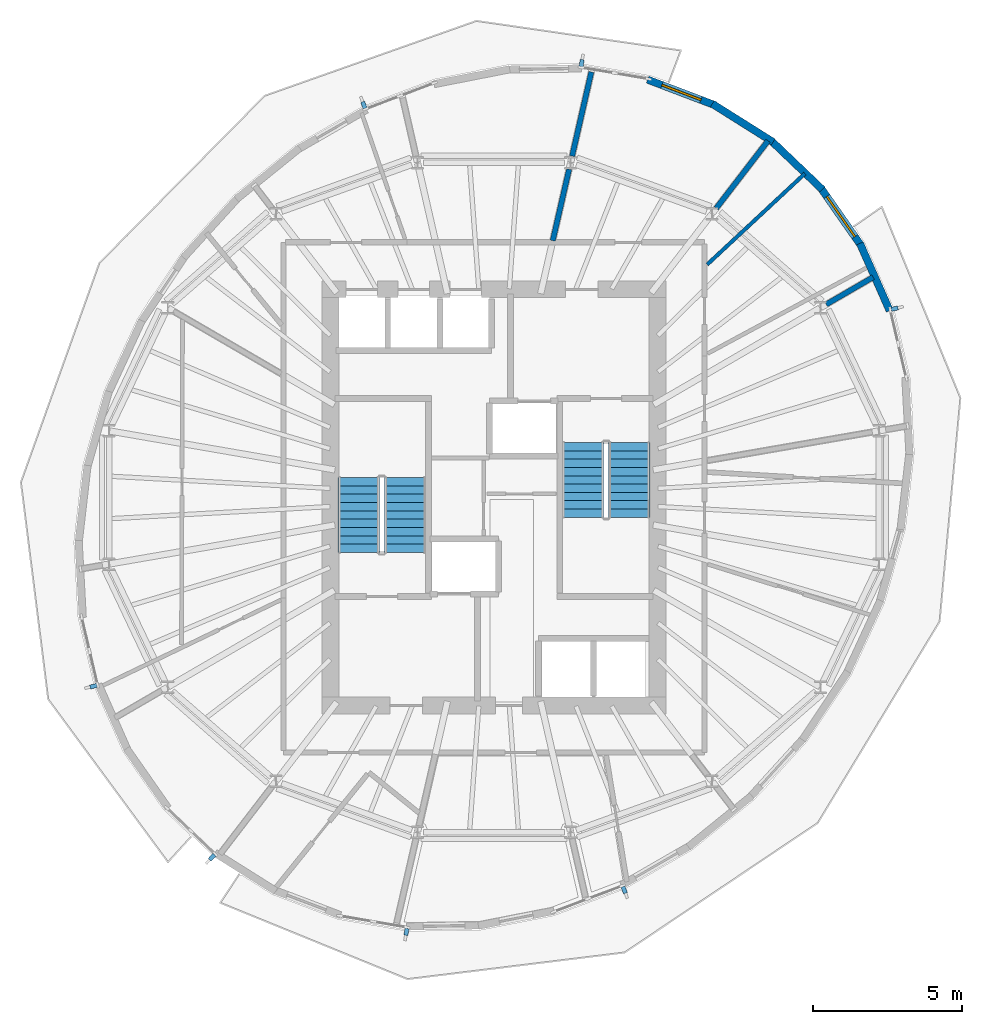
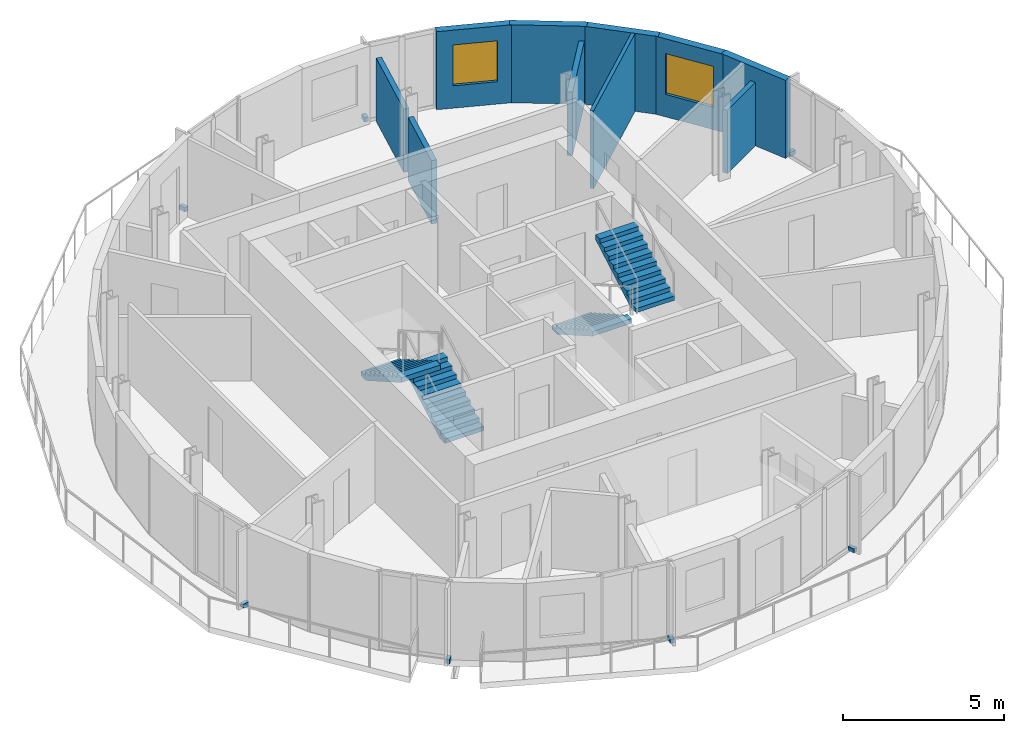
# One storey, part 7 of 11: 10 walls, 7 discrete accessories, 4 stair flights, 2 windows, 2 openings, 2 elements without a shape of their own.
"""IFC4 building model written with IfcOpenShell, lengths in metres."""

from ifc_helpers import new_model, si_unit, direction, frame, frame_2d, origin, origin_2d, place, context, subcontext, project, spatial, polyline, rectangle, outline, extrude, material, layer, layer_set, type_object, element, fill, aggregate, save


model = new_model("IFC4")

# Units and contexts
model_context = context("Model", 3, precision=1e-05, world=origin(), true_north=direction((0.0, 1.0)))
body_context = subcontext(model_context, "Body", "Model", "MODEL_VIEW")
ifc_project = project(units=[si_unit("LENGTHUNIT", "METRE"), si_unit("AREAUNIT", "SQUARE_METRE"), si_unit("VOLUMEUNIT", "CUBIC_METRE"), si_unit("PLANEANGLEUNIT", "RADIAN"), si_unit("MASSUNIT", "GRAM", prefix="KILO")], contexts=[model_context])

# Site, building, storey
site_placement = place(None, origin())
site = spatial("IfcSite", under=ifc_project, at=site_placement, CompositionType="ELEMENT")
building_placement = place(site_placement, origin())
building = spatial("IfcBuilding", under=site, at=building_placement, Name="Veldorim Arch Residences", CompositionType="ELEMENT")
storey_placement = place(building_placement, frame((0.0, 0.0, 207.840087890625)))
storey = spatial("IfcBuildingStorey", under=building, at=storey_placement, Name="L62", CompositionType="ELEMENT", Elevation=207.840087890625)

# Walls
ifc_material_1 = material(Name="Acoustic Gypsum Board", Category="gypsum")
ifc_layer_1 = layer(ifc_material_1, 0.125, Name="Acoustic Stud Room Partition Wall 125")
ifc_layer_set_1 = layer_set([ifc_layer_1], Name="Acoustic Gypsum Board")
wall_type_1 = type_object("IfcWallType", Name="Acoustic Stud Room Partition Wall 125", PredefinedType="PARTITIONING", material=ifc_layer_set_1)
wall_1_placement = place(storey_placement, frame((42.4580078125, 34.896484375, 0.0), z_axis=(0.0, 0.0, 1.0), x_axis=(-0.731963088765, -0.681344286455, 0.0)))
element("IfcWall", 1, at=wall_1_placement, inside=storey, type_object=wall_type_1, Name="L62 interior wall WL-RES-L62-014", PredefinedType="PARTITIONING", context=body_context, shape_type="SweptSolid", body=[
    extrude(rectangle(XDim=4.4951171875, YDim=0.125, at=frame_2d((2.24755859375, 0.0))), origin(), (0.0, 0.0, 1.0), 2.954833984375),
])
ifc_material_2 = material(Name="Lightweight Masonry Block & Gypsum", Category="masonry")
ifc_layer_2 = layer(ifc_material_2, 0.179931640625, Name="Compartment & Corridor Fire-Rated Party Wall 180")
ifc_layer_set_2 = layer_set([ifc_layer_2], Name="Lightweight Masonry Block & Gypsum")
wall_type_2 = type_object("IfcWallType", Name="Compartment & Corridor Fire-Rated Party Wall 180", PredefinedType="PARTITIONING", material=ifc_layer_set_2)
wall_2_placement = place(storey_placement, frame((43.173828125, 30.4931640625, 0.0), z_axis=(0.0, 0.0, 1.0), x_axis=(0.864597744878, 0.502464664979, 0.0)))
element("IfcWall", 2, at=wall_2_placement, inside=storey, type_object=wall_type_2, Name="L62 interior wall WL-PIER-L62-02", PredefinedType="PARTITIONING", context=body_context, shape_type="SweptSolid", body=[
    extrude(rectangle(XDim=1.824951171875, YDim=0.179931640625, at=frame_2d((0.91259765625, 0.0))), origin(), (0.0, 0.0, 1.0), 2.4033203125),
])
wall_3_placement = place(storey_placement, frame((39.473388671875, 33.727294921875, 0.0), z_axis=(0.0, 0.0, 1.0), x_axis=(0.609211911664, 0.793007469502, 0.0)))
element("IfcWall", 3, at=wall_3_placement, inside=storey, type_object=wall_type_2, Name="L62 interior wall WL-PIER-L62-03", PredefinedType="PARTITIONING", context=body_context, shape_type="SweptSolid", body=[
    extrude(rectangle(XDim=2.862548828125, YDim=0.179931640625, at=frame_2d((1.43115234375, 0.0))), origin(), (0.0, 0.0, 1.0), 2.4033203125),
])
wall_4_placement = place(storey_placement, frame((34.62646484375, 35.483154296875, 0.0), z_axis=(0.0, 0.0, 1.0), x_axis=(0.22289331625, 0.974842843525, 0.0)))
element("IfcWall", 4, at=wall_4_placement, inside=storey, type_object=wall_type_2, Name="L62 interior wall WL-PIER-L62-04", PredefinedType="PARTITIONING", context=body_context, shape_type="SweptSolid", body=[
    extrude(rectangle(XDim=2.902587890625, YDim=0.179931640625, at=frame_2d((1.451171875, 0.0))), origin(), (0.0, 0.0, 1.0), 2.4033203125),
])
wall_5_placement = place(storey_placement, frame((33.975830078125, 32.638427734375, 0.0), z_axis=(0.0, 0.0, 1.0), x_axis=(0.222927030412, 0.974835134323, 0.0)))
element("IfcWall", 5, at=wall_5_placement, inside=storey, type_object=wall_type_2, Name="L62 interior wall WL-RES-L62-015", PredefinedType="PARTITIONING", context=body_context, shape_type="SweptSolid", body=[
    extrude(rectangle(XDim=2.464111328125, YDim=0.179931640625, at=frame_2d((1.23193359375, 0.0))), origin(), (0.0, 0.0, 1.0), 2.4033203125),
])
ifc_material_3 = material(Name="Precast concrete C40/50", Category="concrete")
ifc_layer_3 = layer(ifc_material_3, 0.25, Name="Tower Terracotta Spandrel & Pier Wall 250")
ifc_layer_set_3 = layer_set([ifc_layer_3], Name="Precast concrete C40/50")
wall_type_3 = type_object("IfcWallType", Name="Tower Terracotta Spandrel & Pier Wall 250", PredefinedType="SOLIDWALL", material=ifc_layer_set_3)
wall_6_placement = place(storey_placement, frame((39.3427734375, 37.24169921875, 0.0), z_axis=(0.0, 0.0, 1.0), x_axis=(0.846426943671, -0.532504862914, 0.0)))
element("IfcWall", 6, at=wall_6_placement, inside=storey, type_object=wall_type_3, Name="L62 terracotta facade wall 01", PredefinedType="SOLIDWALL", context=body_context, shape_type="SweptSolid", body=[
    extrude(rectangle(XDim=2.414794921875, YDim=0.25, at=frame_2d((1.20751953125, 0.0))), origin(), (0.0, 0.0, 1.0), 2.9599609375),
])

# Wall, opening, window
wall_7_placement = place(storey_placement, frame((37.1669921875, 38.055419921875, 0.0), z_axis=(0.0, 0.0, 1.0), x_axis=(0.934909280934, -0.354886793813, 0.0)))
wall_7 = element("IfcWall", 7, at=wall_7_placement, inside=storey, type_object=wall_type_3, Name="L62 terracotta facade wall 02", PredefinedType="SOLIDWALL", context=body_context, shape_type="SweptSolid", body=[
    extrude(rectangle(XDim=2.436767578125, YDim=0.25, at=frame_2d((1.21826171875, 0.0))), origin(), (0.0, 0.0, 1.0), 2.9599609375),
])
opening_1_placement = place(wall_7_placement, frame((0.51806640625, 0.0, 0.85009765625)))
opening_1 = element("IfcOpeningElement", 8, at=opening_1_placement, cuts=wall_7, Name="Opening WN-02", PredefinedType="OPENING", context=body_context, shape_type="SweptSolid", body=[
    extrude(rectangle(XDim=1.39990234375, YDim=1.550048828125, at=frame_2d((0.699951171875, 0.77490234375))), frame((0.0, 0.135009765625, 0.0), z_axis=(0.0, -1.0, 0.0), x_axis=(1.0, 0.0, 0.0)), (0.0, 0.0, 1.0), 0.27001953125),
])
ifc_material_4 = material(Name="Laminated Low-E Glass", Category="glass")
window_type_1 = type_object("IfcWindowType", Name="Residential Casement Window 1400x1550", PartitioningType="SINGLE_PANEL", PredefinedType="WINDOW", material=ifc_material_4)
window_1_placement = place(opening_1_placement, origin())
window_1 = element("IfcWindow", 9, at=window_1_placement, inside=storey, type_object=window_type_1, Name="L62 solar-control facade window 02", OverallHeight=1.550048828125, OverallWidth=1.39990234375, PartitioningType="SINGLE_PANEL", PredefinedType="WINDOW", context=body_context, shape_type="SweptSolid", body=[
    extrude(rectangle(XDim=1.39990234375, YDim=1.550048828125, at=frame_2d((0.699951171875, 0.77490234375))), frame((0.0, 0.030029296875, 0.0), z_axis=(0.0, -1.0, 0.0), x_axis=(1.0, 0.0, 0.0)), (0.0, 0.0, 1.0), 0.06005859375),
])
fill(opening_1, window_1)

# Wall
wall_8_placement = place(storey_placement, frame((44.30859375, 32.547607421875, 0.0), z_axis=(0.0, 0.0, 1.0), x_axis=(0.404748462651, -0.91442806277, 0.0)))
element("IfcWall", 10, at=wall_8_placement, inside=storey, type_object=wall_type_3, Name="L62 terracotta facade wall 34", PredefinedType="SOLIDWALL", context=body_context, shape_type="SweptSolid", body=[
    extrude(rectangle(XDim=2.47802734375, YDim=0.25, at=frame_2d((1.239013671875, 0.0))), origin(), (0.0, 0.0, 1.0), 2.9599609375),
])

# Wall, opening, window
wall_9_placement = place(storey_placement, frame((42.968505859375, 34.44580078125, 0.0), z_axis=(0.0, 0.0, 1.0), x_axis=(0.572877205554, -0.819641206478, 0.0)))
wall_9 = element("IfcWall", 11, at=wall_9_placement, inside=storey, type_object=wall_type_3, Name="L62 terracotta facade wall 35", PredefinedType="SOLIDWALL", context=body_context, shape_type="SweptSolid", body=[
    extrude(rectangle(XDim=2.436767578125, YDim=0.25, at=frame_2d((1.21826171875, 0.0))), origin(), (0.0, 0.0, 1.0), 2.9599609375),
])
opening_2_placement = place(wall_9_placement, frame((0.39306640625, 0.0, 0.85009765625)))
opening_2 = element("IfcOpeningElement", 12, at=opening_2_placement, cuts=wall_9, Name="Opening WN-03", PredefinedType="OPENING", context=body_context, shape_type="SweptSolid", body=[
    extrude(rectangle(XDim=1.64990234375, YDim=1.550048828125, at=frame_2d((0.824951171875, 0.77490234375))), frame((0.0, 0.135009765625, 0.0), z_axis=(0.0, -1.0, 0.0), x_axis=(1.0, 0.0, 0.0)), (0.0, 0.0, 1.0), 0.27001953125),
])
ifc_material_5 = material(Name="Laminated Low-E Glass", Category="glass")
window_type_2 = type_object("IfcWindowType", Name="Residential Wide Window 1650x1550", PartitioningType="SINGLE_PANEL", PredefinedType="WINDOW", material=ifc_material_5)
window_2_placement = place(opening_2_placement, origin())
window_2 = element("IfcWindow", 13, at=window_2_placement, inside=storey, type_object=window_type_2, Name="L62 solar-control facade window 35", OverallHeight=1.550048828125, OverallWidth=1.64990234375, PartitioningType="SINGLE_PANEL", PredefinedType="WINDOW", context=body_context, shape_type="SweptSolid", body=[
    extrude(rectangle(XDim=1.64990234375, YDim=1.550048828125, at=frame_2d((0.824951171875, 0.77490234375))), frame((0.0, 0.030029296875, 0.0), z_axis=(0.0, -1.0, 0.0), x_axis=(1.0, 0.0, 0.0)), (0.0, 0.0, 1.0), 0.06005859375),
])
fill(opening_2, window_2)

# Wall
wall_10_placement = place(storey_placement, frame((41.296142578125, 36.026123046875, 0.0), z_axis=(0.0, 0.0, 1.0), x_axis=(0.723394563422, -0.690434867031, 0.0)))
element("IfcWall", 14, at=wall_10_placement, inside=storey, type_object=wall_type_3, Name="L62 terracotta facade wall 36", PredefinedType="SOLIDWALL", context=body_context, shape_type="SweptSolid", body=[
    extrude(rectangle(XDim=2.414794921875, YDim=0.25, at=frame_2d((1.20751953125, 0.0))), origin(), (0.0, 0.0, 1.0), 2.9599609375),
])

# Stair, stair flights
ifc_material_6 = material(Name="Concrete C40/50", Category="concrete")
stair_type = type_object("IfcStairType", Name="Reinforced Concrete Dogleg Exit Staircase", PredefinedType="HALF_TURN_STAIR", material=ifc_material_6)
stair_1_placement = place(storey_placement, origin())
stair_1 = element("IfcStair", 15, at=stair_1_placement, inside=storey, type_object=stair_type, Name="L62 Exit Staircase ST-1", PredefinedType="HALF_TURN_STAIR")
ifc_material_7 = material(Name="Concrete C40/50", Category="concrete")
stair_flight_type = type_object("IfcStairFlightType", Name="Reinforced Concrete Stair Flight 1400", PredefinedType="STRAIGHT", material=ifc_material_7)
stair_flight_1_placement = place(storey_placement, frame((29.010009765625, 22.14990234375, 0.0), z_axis=(0.0, 0.0, 1.0), x_axis=(0.0, 1.0, 0.0)))
stair_flight_1 = element("IfcStairFlight", 16, at=stair_flight_1_placement, type_object=stair_flight_type, Name="ST-1 flight 1", NumberOfRisers=10, NumberOfTreads=9, PredefinedType="STRAIGHT", RiserHeight=0.16, TreadLength=0.28, context=body_context, shape_type="SweptSolid", body=[
    extrude(outline(polyline([(0.0, 0.0), (0.0, 0.159912109375), (0.280029296875, 0.159912109375), (0.280029296875, 0.320068359375), (0.56005859375, 0.320068359375), (0.56005859375, 0.47998046875), (0.840087890625, 0.47998046875), (0.840087890625, 0.639892578125), (1.1201171875, 0.639892578125), (1.1201171875, 0.800048828125), (1.39990234375, 0.800048828125), (1.39990234375, 0.9599609375), (1.679931640625, 0.9599609375), (1.679931640625, 1.1201171875), (1.9599609375, 1.1201171875), (1.9599609375, 1.280029296875), (2.239990234375, 1.280029296875), (2.239990234375, 1.43994140625), (2.52001953125, 1.43994140625), (2.52001953125, 1.60009765625), (2.52001953125, 1.255859375), (0.322265625, 0.0), (0.0, 0.0)])), frame((0.0, 0.699951171875, 0.0), z_axis=(0.0, -1.0, 0.0), x_axis=(1.0, 0.0, 0.0)), (0.0, 0.0, 1.0), 1.39990234375),
])
stair_flight_2_placement = place(storey_placement, frame((27.449951171875, 24.669921875, 1.599853515625), z_axis=(0.0, 0.0, 1.0), x_axis=(0.0, -1.0, 0.0)))
stair_flight_2 = element("IfcStairFlight", 17, at=stair_flight_2_placement, type_object=stair_flight_type, Name="ST-1 flight 2", NumberOfRisers=10, NumberOfTreads=9, PredefinedType="STRAIGHT", RiserHeight=0.16, TreadLength=0.28, context=body_context, shape_type="SweptSolid", body=[
    extrude(outline(polyline([(0.0, 0.0), (0.0, 0.159912109375), (0.280029296875, 0.159912109375), (0.280029296875, 0.320068359375), (0.56005859375, 0.320068359375), (0.56005859375, 0.47998046875), (0.840087890625, 0.47998046875), (0.840087890625, 0.639892578125), (1.1201171875, 0.639892578125), (1.1201171875, 0.800048828125), (1.39990234375, 0.800048828125), (1.39990234375, 0.9599609375), (1.679931640625, 0.9599609375), (1.679931640625, 1.1201171875), (1.9599609375, 1.1201171875), (1.9599609375, 1.280029296875), (2.239990234375, 1.280029296875), (2.239990234375, 1.43994140625), (2.52001953125, 1.43994140625), (2.52001953125, 1.60009765625), (2.52001953125, 1.255859375), (0.322265625, 0.0), (0.0, 0.0)])), frame((0.0, 0.699951171875, 0.0), z_axis=(0.0, -1.0, 0.0), x_axis=(1.0, 0.0, 0.0)), (0.0, 0.0, 1.0), 1.39990234375),
])
aggregate(stair_1, [stair_flight_1, stair_flight_2])

stair_2_placement = place(storey_placement, origin())
stair_2 = element("IfcStair", 18, at=stair_2_placement, inside=storey, type_object=stair_type, Name="L62 Exit Staircase ST-2", PredefinedType="HALF_TURN_STAIR")
stair_flight_3_placement = place(storey_placement, frame((34.989990234375, 25.85009765625, 0.0), z_axis=(0.0, 0.0, 1.0), x_axis=(0.0, -1.0, 0.0)))
stair_flight_3 = element("IfcStairFlight", 19, at=stair_flight_3_placement, type_object=stair_flight_type, Name="ST-2 flight 1", NumberOfRisers=10, NumberOfTreads=9, PredefinedType="STRAIGHT", RiserHeight=0.16, TreadLength=0.28, context=body_context, shape_type="SweptSolid", body=[
    extrude(outline(polyline([(0.0, 0.0), (0.0, 0.159912109375), (0.280029296875, 0.159912109375), (0.280029296875, 0.320068359375), (0.56005859375, 0.320068359375), (0.56005859375, 0.47998046875), (0.840087890625, 0.47998046875), (0.840087890625, 0.639892578125), (1.1201171875, 0.639892578125), (1.1201171875, 0.800048828125), (1.39990234375, 0.800048828125), (1.39990234375, 0.9599609375), (1.679931640625, 0.9599609375), (1.679931640625, 1.1201171875), (1.9599609375, 1.1201171875), (1.9599609375, 1.280029296875), (2.239990234375, 1.280029296875), (2.239990234375, 1.43994140625), (2.52001953125, 1.43994140625), (2.52001953125, 1.60009765625), (2.52001953125, 1.255859375), (0.322265625, 0.0), (0.0, 0.0)])), frame((0.0, 0.699951171875, 0.0), z_axis=(0.0, -1.0, 0.0), x_axis=(1.0, 0.0, 0.0)), (0.0, 0.0, 1.0), 1.39990234375),
])
stair_flight_4_placement = place(storey_placement, frame((36.550048828125, 23.330078125, 1.599853515625), z_axis=(0.0, 0.0, 1.0), x_axis=(0.0, 1.0, 0.0)))
stair_flight_4 = element("IfcStairFlight", 20, at=stair_flight_4_placement, type_object=stair_flight_type, Name="ST-2 flight 2", NumberOfRisers=10, NumberOfTreads=9, PredefinedType="STRAIGHT", RiserHeight=0.16, TreadLength=0.28, context=body_context, shape_type="SweptSolid", body=[
    extrude(outline(polyline([(0.0, 0.0), (0.0, 0.159912109375), (0.280029296875, 0.159912109375), (0.280029296875, 0.320068359375), (0.56005859375, 0.320068359375), (0.56005859375, 0.47998046875), (0.840087890625, 0.47998046875), (0.840087890625, 0.639892578125), (1.1201171875, 0.639892578125), (1.1201171875, 0.800048828125), (1.39990234375, 0.800048828125), (1.39990234375, 0.9599609375), (1.679931640625, 0.9599609375), (1.679931640625, 1.1201171875), (1.9599609375, 1.1201171875), (1.9599609375, 1.280029296875), (2.239990234375, 1.280029296875), (2.239990234375, 1.43994140625), (2.52001953125, 1.43994140625), (2.52001953125, 1.60009765625), (2.52001953125, 1.255859375), (0.322265625, 0.0), (0.0, 0.0)])), frame((0.0, 0.699951171875, 0.0), z_axis=(0.0, -1.0, 0.0), x_axis=(1.0, 0.0, 0.0)), (0.0, 0.0, 1.0), 1.39990234375),
])
aggregate(stair_2, [stair_flight_3, stair_flight_4])

# Discrete accessories
ifc_material_8 = material(Name="Stainless Steel", Category="steel")
discrete_accessory_type = type_object("IfcDiscreteAccessoryType", Name="Stainless Steel Facade Fin Anchor Bracket", PredefinedType="BRACKET", material=ifc_material_8)
for number, where, z_axis, x_axis, name in (
    (21, (34.946533203125, 38.609619140625, -0.02001953125), (0.0, 0.0, 1.0), (0.985674047132, -0.168661414708, 0.0), "L62 stainless fin anchor bracket 03"),
    (22, (27.622314453125, 37.198974609375, -0.02001953125), (0.0, 0.0, 1.0), (0.935135209686, 0.354291037998, 0.0), "L62 stainless fin anchor bracket 06"),
    (23, (18.52783203125, 17.64990234375, -0.02001953125), (0.0, 0.0, 1.0), (-0.228860603507, 0.973459205187, 0.0), "L62 stainless fin anchor bracket 15"),
    (24, (22.51806640625, 11.898681640625, -0.02001953125), (0.0, 0.0, 1.0), (-0.723328791975, 0.690503771677, 0.0), "L62 stainless fin anchor bracket 18"),
    (25, (29.053466796875, 9.390380859375, -0.02001953125), (0.0, 0.0, 1.0), (-0.985674047132, 0.168661414708, 0.0), "L62 stainless fin anchor bracket 21"),
    (26, (36.377685546875, 10.801025390625, -0.02001953125), (0.0, 0.0, 1.0), (-0.935135209686, -0.354291037998, 0.0), "L62 stainless fin anchor bracket 24"),
    (27, (45.47216796875, 30.35009765625, -0.02001953125), (0.0, 0.0, 1.0), (0.228860603507, -0.973459205187, 0.0), "L62 stainless fin anchor bracket 33"),
):
    element("IfcDiscreteAccessory", number, at=place(storey_placement, frame(where, z_axis=z_axis, x_axis=x_axis)), inside=storey, type_object=discrete_accessory_type, Name=name, PredefinedType="BRACKET", context=body_context, shape_type="SweptSolid", body=[
        extrude(rectangle(XDim=0.139892578125, YDim=0.239990234375, at=origin_2d()), origin(), (0.0, 0.0, 1.0), 0.159912109375),
    ])

save(model, "model.ifc")
